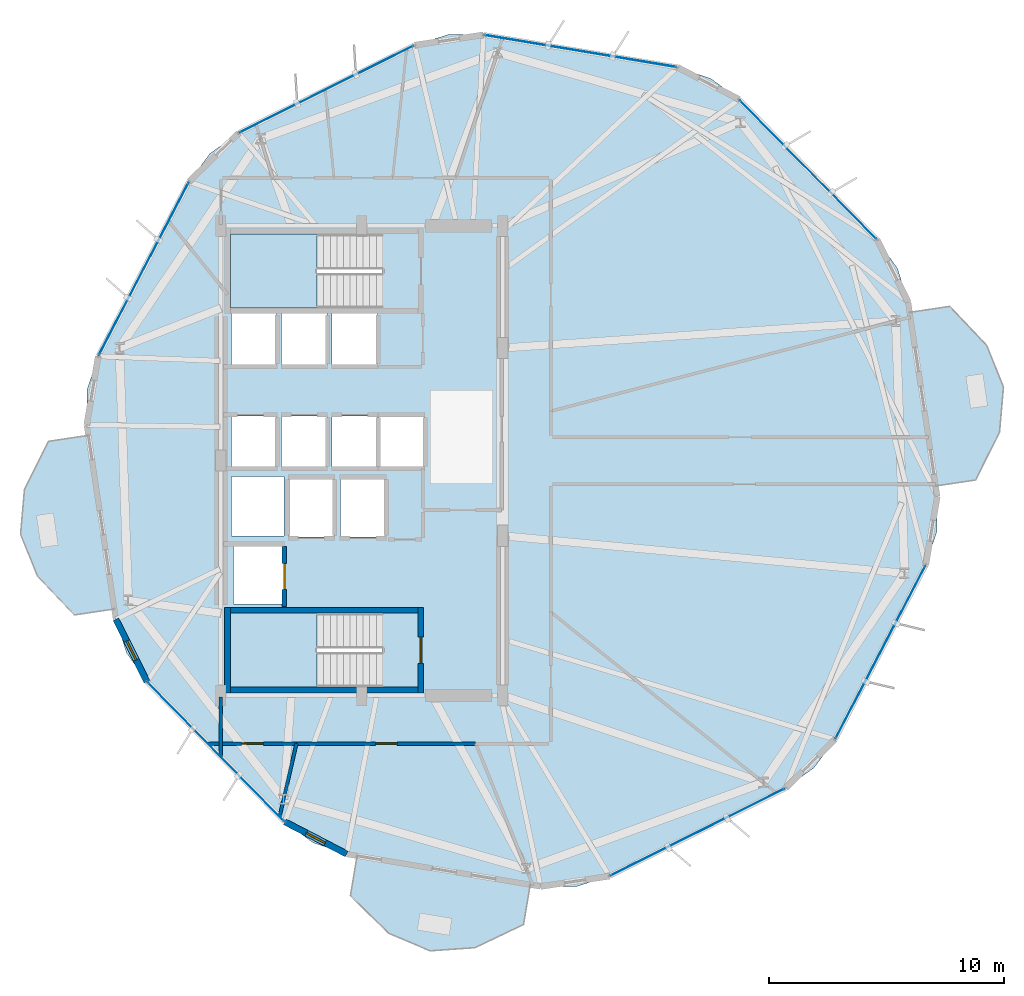
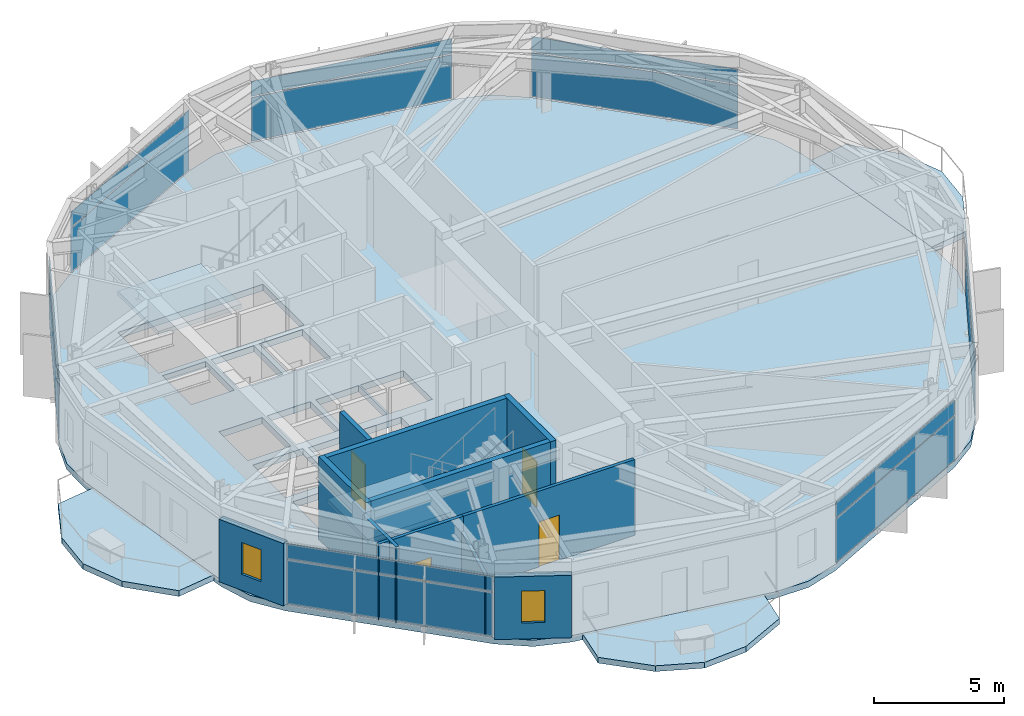
# One storey, part 16 of 22: 14 plates, 11 walls, 6 slabs, 4 doors, 2 windows, 6 openings, 9 elements without a shape of their own.
"""IFC4 building model written with IfcOpenShell, lengths in metres."""

from ifc_helpers import new_model, si_unit, direction, frame, frame_2d, origin, origin_2d, place, context, subcontext, project, spatial, polyline, rectangle, outline, extrude, material, layer, layer_set, type_object, element, fill, aggregate, save


model = new_model("IFC4")

# Units and contexts
model_context = context("Model", 3, precision=1e-05, world=origin(), true_north=direction((0.0, 1.0)))
body_context = subcontext(model_context, "Body", "Model", "MODEL_VIEW")
ifc_project = project(units=[si_unit("LENGTHUNIT", "METRE"), si_unit("AREAUNIT", "SQUARE_METRE"), si_unit("VOLUMEUNIT", "CUBIC_METRE"), si_unit("PLANEANGLEUNIT", "RADIAN"), si_unit("MASSUNIT", "GRAM", prefix="KILO")], contexts=[model_context])

# Site, building, storey
site_placement = place(None, origin())
site = spatial("IfcSite", under=ifc_project, at=site_placement, CompositionType="ELEMENT")
building_placement = place(site_placement, origin())
building = spatial("IfcBuilding", under=site, at=building_placement, Name="Soratama Intermodal Tower", CompositionType="ELEMENT")
storey_placement = place(building_placement, frame((0.0, 0.0, 130.300048828125)))
storey = spatial("IfcBuildingStorey", under=building, at=storey_placement, Name="L31", CompositionType="ELEMENT", Elevation=130.300048828125)

# Curtain wall, plates
ifc_material_1 = material(Name="Double-glazed aluminium curtain wall", Category="aluminium")
ifc_layer_1 = layer(ifc_material_1, 0.159912109375)
ifc_layer_set_1 = layer_set([ifc_layer_1], Name="Double-glazed aluminium curtain wall")
curtain_wall_type = type_object("IfcCurtainWallType", Name="CW-SYS-3", PredefinedType="NOTDEFINED", material=ifc_layer_set_1)
curtain_wall_1_placement = place(storey_placement, origin())
curtain_wall_1 = element("IfcCurtainWall", 1, at=curtain_wall_1_placement, inside=storey, type_object=curtain_wall_type, Name="L31 Faceted Curtain Wall F01", PredefinedType="NOTDEFINED")
ifc_material_2 = material(Name="Low-E laminated double glazing", Category="glass")
ifc_layer_2 = layer(ifc_material_2, 0.028076171875)
ifc_layer_set_2 = layer_set([ifc_layer_2], Name="Low-E laminated double glazing")
plate_type = type_object("IfcPlateType", Name="PT-CWP-3", PredefinedType="CURTAIN_PANEL", material=ifc_layer_set_2)
plate_1_placement = place(storey_placement, frame((57.61279296875, 37.4033203125, 0.059814453125), z_axis=(0.0, 0.0, 1.0), x_axis=(-0.701154417594, 0.713009454838, 0.0)))
plate_1 = element("IfcPlate", 2, at=plate_1_placement, type_object=plate_type, Name="CW-3 panel 1.1", PredefinedType="CURTAIN_PANEL", context=body_context, shape_type="SweptSolid", body=[
    extrude(rectangle(XDim=8.256103515625, YDim=0.028076171875, at=origin_2d()), origin(), (0.0, 0.0, 1.0), 2.06005859375),
])
plate_2_placement = place(storey_placement, frame((57.61279296875, 37.4033203125, 2.18017578125), z_axis=(0.0, 0.0, 1.0), x_axis=(-0.701154417594, 0.713009454838, 0.0)))
plate_2 = element("IfcPlate", 3, at=plate_2_placement, type_object=plate_type, Name="CW-3 panel 1.2", PredefinedType="CURTAIN_PANEL", context=body_context, shape_type="SweptSolid", body=[
    extrude(rectangle(XDim=8.256103515625, YDim=0.028076171875, at=origin_2d()), origin(), (0.0, 0.0, 1.0), 0.698974609375),
])
aggregate(curtain_wall_1, [plate_1, plate_2])

curtain_wall_2_placement = place(storey_placement, origin())
curtain_wall_2 = element("IfcCurtainWall", 4, at=curtain_wall_2_placement, inside=storey, type_object=curtain_wall_type, Name="L31 Faceted Curtain Wall F02", PredefinedType="NOTDEFINED")
plate_3_placement = place(storey_placement, frame((47.91357421875, 42.447998046875, 0.059814453125), z_axis=(0.0, 0.0, 1.0), x_axis=(-0.986342895373, 0.164704865587, 0.0)))
plate_3 = element("IfcPlate", 5, at=plate_3_placement, type_object=plate_type, Name="CW-3 panel 1.1", PredefinedType="CURTAIN_PANEL", context=body_context, shape_type="SweptSolid", body=[
    extrude(rectangle(XDim=8.256103515625, YDim=0.028076171875, at=origin_2d()), origin(), (0.0, 0.0, 1.0), 2.06005859375),
])
plate_4_placement = place(storey_placement, frame((47.91357421875, 42.447998046875, 2.18017578125), z_axis=(0.0, 0.0, 1.0), x_axis=(-0.986342895373, 0.164704865587, 0.0)))
plate_4 = element("IfcPlate", 6, at=plate_4_placement, type_object=plate_type, Name="CW-3 panel 1.2", PredefinedType="CURTAIN_PANEL", context=body_context, shape_type="SweptSolid", body=[
    extrude(rectangle(XDim=8.256103515625, YDim=0.028076171875, at=origin_2d()), origin(), (0.0, 0.0, 1.0), 0.698974609375),
])
aggregate(curtain_wall_2, [plate_3, plate_4])

curtain_wall_3_placement = place(storey_placement, origin())
curtain_wall_3 = element("IfcCurtainWall", 7, at=curtain_wall_3_placement, inside=storey, type_object=curtain_wall_type, Name="L31 Faceted Curtain Wall F03", PredefinedType="NOTDEFINED")
plate_5_placement = place(storey_placement, frame((37.101318359375, 40.828369140625, 0.059814453125), z_axis=(0.0, 0.0, 1.0), x_axis=(-0.894775526894, -0.446516244354, 0.0)))
plate_5 = element("IfcPlate", 8, at=plate_5_placement, type_object=plate_type, Name="CW-3 panel 1.1", PredefinedType="CURTAIN_PANEL", context=body_context, shape_type="SweptSolid", body=[
    extrude(rectangle(XDim=8.256103515625, YDim=0.028076171875, at=origin_2d()), origin(), (0.0, 0.0, 1.0), 2.06005859375),
])
plate_6_placement = place(storey_placement, frame((37.101318359375, 40.828369140625, 2.18017578125), z_axis=(0.0, 0.0, 1.0), x_axis=(-0.894775526894, -0.446516244354, 0.0)))
plate_6 = element("IfcPlate", 9, at=plate_6_placement, type_object=plate_type, Name="CW-3 panel 1.2", PredefinedType="CURTAIN_PANEL", context=body_context, shape_type="SweptSolid", body=[
    extrude(rectangle(XDim=8.256103515625, YDim=0.028076171875, at=origin_2d()), origin(), (0.0, 0.0, 1.0), 0.698974609375),
])
aggregate(curtain_wall_3, [plate_5, plate_6])

curtain_wall_4_placement = place(storey_placement, origin())
curtain_wall_4 = element("IfcCurtainWall", 10, at=curtain_wall_4_placement, inside=storey, type_object=curtain_wall_type, Name="L31 Faceted Curtain Wall F04", PredefinedType="NOTDEFINED")
plate_7_placement = place(storey_placement, frame((29.30615234375, 33.16259765625, 0.059814453125), z_axis=(0.0, 0.0, 1.0), x_axis=(-0.461435056194, -0.887173990215, 0.0)))
plate_7 = element("IfcPlate", 11, at=plate_7_placement, type_object=plate_type, Name="CW-3 panel 1.1", PredefinedType="CURTAIN_PANEL", context=body_context, shape_type="SweptSolid", body=[
    extrude(rectangle(XDim=8.25634765625, YDim=0.028076171875, at=origin_2d()), origin(), (0.0, 0.0, 1.0), 2.06005859375),
])
plate_8_placement = place(storey_placement, frame((29.30615234375, 33.16259765625, 2.18017578125), z_axis=(0.0, 0.0, 1.0), x_axis=(-0.461435056194, -0.887173990215, 0.0)))
plate_8 = element("IfcPlate", 12, at=plate_8_placement, type_object=plate_type, Name="CW-3 panel 1.2", PredefinedType="CURTAIN_PANEL", context=body_context, shape_type="SweptSolid", body=[
    extrude(rectangle(XDim=8.25634765625, YDim=0.028076171875, at=origin_2d()), origin(), (0.0, 0.0, 1.0), 0.698974609375),
])
aggregate(curtain_wall_4, [plate_7, plate_8])

curtain_wall_5_placement = place(storey_placement, origin())
curtain_wall_5 = element("IfcCurtainWall", 13, at=curtain_wall_5_placement, inside=storey, type_object=curtain_wall_type, Name="L31 Faceted Curtain Wall F06", PredefinedType="NOTDEFINED")
plate_9_placement = place(storey_placement, frame((32.38720703125, 12.5966796875, 0.059814453125), z_axis=(0.0, 0.0, 1.0), x_axis=(0.701154417594, -0.713009454838, 0.0)))
plate_9 = element("IfcPlate", 14, at=plate_9_placement, type_object=plate_type, Name="CW-3 panel 1.1", PredefinedType="CURTAIN_PANEL", context=body_context, shape_type="SweptSolid", body=[
    extrude(rectangle(XDim=8.256103515625, YDim=0.028076171875, at=origin_2d()), origin(), (0.0, 0.0, 1.0), 2.06005859375),
])
plate_10_placement = place(storey_placement, frame((32.38720703125, 12.5966796875, 2.18017578125), z_axis=(0.0, 0.0, 1.0), x_axis=(0.701154417594, -0.713009454838, 0.0)))
plate_10 = element("IfcPlate", 15, at=plate_10_placement, type_object=plate_type, Name="CW-3 panel 1.2", PredefinedType="CURTAIN_PANEL", context=body_context, shape_type="SweptSolid", body=[
    extrude(rectangle(XDim=8.256103515625, YDim=0.028076171875, at=origin_2d()), origin(), (0.0, 0.0, 1.0), 0.698974609375),
])
aggregate(curtain_wall_5, [plate_9, plate_10])

curtain_wall_6_placement = place(storey_placement, origin())
curtain_wall_6 = element("IfcCurtainWall", 16, at=curtain_wall_6_placement, inside=storey, type_object=curtain_wall_type, Name="L31 Faceted Curtain Wall F08", PredefinedType="NOTDEFINED")
plate_11_placement = place(storey_placement, frame((52.898681640625, 9.171630859375, 0.059814453125), z_axis=(0.0, 0.0, 1.0), x_axis=(0.894775526894, 0.446516244354, 0.0)))
plate_11 = element("IfcPlate", 17, at=plate_11_placement, type_object=plate_type, Name="CW-3 panel 1.1", PredefinedType="CURTAIN_PANEL", context=body_context, shape_type="SweptSolid", body=[
    extrude(rectangle(XDim=8.256103515625, YDim=0.028076171875, at=origin_2d()), origin(), (0.0, 0.0, 1.0), 2.06005859375),
])
plate_12_placement = place(storey_placement, frame((52.898681640625, 9.171630859375, 2.18017578125), z_axis=(0.0, 0.0, 1.0), x_axis=(0.894775526894, 0.446516244354, 0.0)))
plate_12 = element("IfcPlate", 18, at=plate_12_placement, type_object=plate_type, Name="CW-3 panel 1.2", PredefinedType="CURTAIN_PANEL", context=body_context, shape_type="SweptSolid", body=[
    extrude(rectangle(XDim=8.256103515625, YDim=0.028076171875, at=origin_2d()), origin(), (0.0, 0.0, 1.0), 0.698974609375),
])
aggregate(curtain_wall_6, [plate_11, plate_12])

curtain_wall_7_placement = place(storey_placement, origin())
curtain_wall_7 = element("IfcCurtainWall", 19, at=curtain_wall_7_placement, inside=storey, type_object=curtain_wall_type, Name="L31 Faceted Curtain Wall F09", PredefinedType="NOTDEFINED")
plate_13_placement = place(storey_placement, frame((60.69384765625, 16.83740234375, 0.059814453125), z_axis=(0.0, 0.0, 1.0), x_axis=(0.461435056194, 0.887173990215, 0.0)))
plate_13 = element("IfcPlate", 20, at=plate_13_placement, type_object=plate_type, Name="CW-3 panel 1.1", PredefinedType="CURTAIN_PANEL", context=body_context, shape_type="SweptSolid", body=[
    extrude(rectangle(XDim=8.25634765625, YDim=0.028076171875, at=origin_2d()), origin(), (0.0, 0.0, 1.0), 2.06005859375),
])
plate_14_placement = place(storey_placement, frame((60.69384765625, 16.83740234375, 2.18017578125), z_axis=(0.0, 0.0, 1.0), x_axis=(0.461435056194, 0.887173990215, 0.0)))
plate_14 = element("IfcPlate", 21, at=plate_14_placement, type_object=plate_type, Name="CW-3 panel 1.2", PredefinedType="CURTAIN_PANEL", context=body_context, shape_type="SweptSolid", body=[
    extrude(rectangle(XDim=8.25634765625, YDim=0.028076171875, at=origin_2d()), origin(), (0.0, 0.0, 1.0), 0.698974609375),
])
aggregate(curtain_wall_7, [plate_13, plate_14])

# Slabs
ifc_material_3 = material(Name="Concrete f'c 42 MPa", Category="concrete")
ifc_layer_3 = layer(ifc_material_3, 0.27001953125)
ifc_layer_set_3 = layer_set([ifc_layer_3], Name="Concrete f'c 42 MPa")
slab_type_1 = type_object("IfcSlabType", Name="SL-EXT-BAL1", PredefinedType="FLOOR", material=ifc_layer_set_3)
slab_1_placement = place(storey_placement, frame((0.0, 0.0, -0.27001953125)))
element("IfcSlab", 22, at=slab_1_placement, inside=storey, type_object=slab_type_1, Name="L31 Planted Balcony East 1", PredefinedType="FLOOR", context=body_context, shape_type="SweptSolid", body=[
    extrude(outline(polyline([(63.048095703125, 23.923828125), (61.940673828125, 31.317626953125), (63.6416015625, 31.572509765625), (65.215087890625, 29.918212890625), (65.93603515625, 28.136474609375), (65.768798828125, 26.221435546875), (64.749267578125, 24.1787109375), (63.048095703125, 23.923828125)])), origin(), (0.0, 0.0, 1.0), 0.27001953125),
])
slab_2_placement = place(storey_placement, frame((0.0, 0.0, -0.27001953125)))
element("IfcSlab", 23, at=slab_2_placement, inside=storey, type_object=slab_type_1, Name="L31 Planted Balcony West 2", PredefinedType="FLOOR", context=body_context, shape_type="SweptSolid", body=[
    extrude(outline(polyline([(26.951904296875, 26.076171875), (28.059326171875, 18.682373046875), (26.3583984375, 18.427490234375), (24.784912109375, 20.081787109375), (24.06396484375, 21.863525390625), (24.231201171875, 23.778564453125), (25.250732421875, 25.8212890625), (26.951904296875, 26.076171875)])), origin(), (0.0, 0.0, 1.0), 0.27001953125),
])
slab_3_placement = place(storey_placement, frame((0.0, 0.0, -0.27001953125)))
element("IfcSlab", 24, at=slab_3_placement, inside=storey, type_object=slab_type_1, Name="L31 Planted Balcony South 3", PredefinedType="FLOOR", context=body_context, shape_type="SweptSolid", body=[
    extrude(outline(polyline([(38.3994140625, 8.16748046875), (45.7734375, 6.936279296875), (45.490234375, 5.23974609375), (43.430908203125, 4.25439453125), (41.51318359375, 4.119384765625), (39.743896484375, 4.8701171875), (38.1162109375, 6.47119140625), (38.3994140625, 8.16748046875)])), origin(), (0.0, 0.0, 1.0), 0.27001953125),
])

# Stair, slab
ifc_material_4 = material(Name="Concrete f'c 42 MPa", Category="concrete")
stair_type = type_object("IfcStairType", Name="ST-CORE-DOGLEG", PredefinedType="HALF_TURN_STAIR", material=ifc_material_4)
stair_1_placement = place(storey_placement, origin())
stair_1 = element("IfcStair", 25, at=stair_1_placement, inside=storey, type_object=stair_type, Name="L31 ST-1", PredefinedType="HALF_TURN_STAIR")
ifc_material_5 = material(Name="Concrete f'c 42 MPa", Category="concrete")
ifc_layer_4 = layer(ifc_material_5, 0.219970703125)
ifc_layer_set_4 = layer_set([ifc_layer_4], Name="Concrete f'c 42 MPa")
slab_type_2 = type_object("IfcSlabType", Name="SL-STAIR-LAND", PredefinedType="LANDING", material=ifc_layer_set_4)
slab_4_placement = place(storey_placement, frame((0.0, 0.0, 1.75)))
slab_4 = element("IfcSlab", 26, at=slab_4_placement, type_object=slab_type_2, Name="ST-1 landing 1", PredefinedType="LANDING", context=body_context, shape_type="SweptSolid", body=[
    extrude(outline(polyline([(36.699951171875, 18.5), (33.0, 18.5), (33.0, 15.35009765625), (36.699951171875, 15.35009765625), (36.699951171875, 18.5)])), origin(), (0.0, 0.0, 1.0), 0.199951171875),
])
aggregate(stair_1, [slab_4])

stair_2_placement = place(storey_placement, origin())
stair_2 = element("IfcStair", 27, at=stair_2_placement, inside=storey, type_object=stair_type, Name="L31 ST-2", PredefinedType="HALF_TURN_STAIR")
slab_5_placement = place(storey_placement, frame((0.0, 0.0, 1.75)))
slab_5 = element("IfcSlab", 28, at=slab_5_placement, type_object=slab_type_2, Name="ST-2 landing 1", PredefinedType="LANDING", context=body_context, shape_type="SweptSolid", body=[
    extrude(outline(polyline([(36.699951171875, 34.64990234375), (33.0, 34.64990234375), (33.0, 31.5), (36.699951171875, 31.5), (36.699951171875, 34.64990234375)])), origin(), (0.0, 0.0, 1.0), 0.199951171875),
])
aggregate(stair_2, [slab_5])

# Slab
ifc_material_6 = material(Name="Concrete f'c 42 MPa", Category="concrete")
ifc_layer_5 = layer(ifc_material_6, 0.280029296875)
ifc_layer_set_5 = layer_set([ifc_layer_5], Name="Concrete f'c 42 MPa")
slab_type_3 = type_object("IfcSlabType", Name="SL-TWR-280", PredefinedType="FLOOR", material=ifc_layer_set_5)
slab_6_placement = place(storey_placement, frame((0.0, 0.0, -0.300048828125)))
element("IfcSlab", 29, at=slab_6_placement, inside=storey, type_object=slab_type_3, Name="L31 Structural Floor Slab", PredefinedType="FLOOR", context=body_context, shape_type="SweptSolid", body=[
    extrude(outline(polyline([(61.873779296875, 31.7626953125), (61.421875, 33.19482421875), (60.54931640625, 34.4169921875), (54.67626953125, 40.389404296875), (53.46875, 41.2822265625), (52.04443359375, 41.75830078125), (43.78271484375, 43.137939453125), (42.281005859375, 43.150390625), (40.848876953125, 42.698486328125), (33.35400390625, 38.958251953125), (32.131591796875, 38.085693359375), (31.23876953125, 36.87841796875), (27.373779296875, 29.447021484375), (26.897705078125, 28.022705078125), (26.885009765625, 26.52099609375), (28.126220703125, 18.2373046875), (28.578125, 16.80517578125), (29.45068359375, 15.5830078125), (35.32373046875, 9.610595703125), (36.53125, 8.7177734375), (37.95556640625, 8.24169921875), (46.21728515625, 6.862060546875), (47.718994140625, 6.849609375), (49.151123046875, 7.301513671875), (56.64599609375, 11.041748046875), (57.868408203125, 11.914306640625), (58.76123046875, 13.12158203125), (62.626220703125, 20.552978515625), (63.102294921875, 21.977294921875), (63.114990234375, 23.47900390625), (61.873779296875, 31.7626953125)]), holes=[polyline([(33.0, 18.5), (33.0, 15.35009765625), (39.47509765625, 15.35009765625), (39.47509765625, 18.5), (33.0, 18.5)]), polyline([(35.260009765625, 18.889892578125), (35.260009765625, 21.409912109375), (33.139892578125, 21.409912109375), (33.139892578125, 18.889892578125), (35.260009765625, 18.889892578125)]), polyline([(33.050048828125, 21.800048828125), (35.280029296875, 21.800048828125), (35.280029296875, 24.320068359375), (33.050048828125, 24.320068359375), (33.050048828125, 21.800048828125)]), polyline([(34.9599609375, 26.909912109375), (33.0400390625, 26.909912109375), (33.0400390625, 24.68994140625), (34.9599609375, 24.68994140625), (34.9599609375, 26.909912109375)]), polyline([(37.110107421875, 24.68994140625), (37.110107421875, 26.909912109375), (35.18994140625, 26.909912109375), (35.18994140625, 24.68994140625), (37.110107421875, 24.68994140625)]), polyline([(34.9599609375, 29.0400390625), (34.9599609375, 31.260009765625), (33.0400390625, 31.260009765625), (33.0400390625, 29.0400390625), (34.9599609375, 29.0400390625)]), polyline([(37.110107421875, 31.260009765625), (35.18994140625, 31.260009765625), (35.18994140625, 29.0400390625), (37.110107421875, 29.0400390625), (37.110107421875, 31.260009765625)]), polyline([(37.409912109375, 21.739990234375), (37.409912109375, 24.260009765625), (35.489990234375, 24.260009765625), (35.489990234375, 21.739990234375), (37.409912109375, 21.739990234375)]), polyline([(39.610107421875, 21.739990234375), (39.610107421875, 24.260009765625), (37.68994140625, 24.260009765625), (37.68994140625, 21.739990234375), (39.610107421875, 21.739990234375)]), polyline([(39.260009765625, 24.68994140625), (39.260009765625, 26.909912109375), (37.340087890625, 26.909912109375), (37.340087890625, 24.68994140625), (39.260009765625, 24.68994140625)]), polyline([(41.260009765625, 24.68994140625), (41.260009765625, 26.909912109375), (39.340087890625, 26.909912109375), (39.340087890625, 24.68994140625), (41.260009765625, 24.68994140625)]), polyline([(39.260009765625, 29.0400390625), (39.260009765625, 31.260009765625), (37.340087890625, 31.260009765625), (37.340087890625, 29.0400390625), (39.260009765625, 29.0400390625)]), polyline([(39.47509765625, 34.64990234375), (33.0, 34.64990234375), (33.0, 31.5), (39.47509765625, 31.5), (39.47509765625, 34.64990234375)])]), origin(), (0.0, 0.0, 1.0), 0.300048828125),
])

# Wall, opening, window
ifc_material_7 = material(Name="Concrete f'c 42 MPa", Category="concrete")
ifc_layer_6 = layer(ifc_material_7, 0.27001953125)
ifc_layer_set_6 = layer_set([ifc_layer_6], Name="Concrete f'c 42 MPa")
wall_type_1 = type_object("IfcWallType", Name="EW-CRN-270", PredefinedType="SOLIDWALL", material=ifc_layer_set_6)
wall_1_placement = place(storey_placement, frame((28.126220703125, 18.2373046875, 0.0), z_axis=(0.0, 0.0, 1.0), x_axis=(0.446489189921, -0.894789027248, 0.0)))
wall_1 = element("IfcWall", 30, at=wall_1_placement, inside=storey, type_object=wall_type_1, Name="L31 Corner Closure Wall 05", PredefinedType="SOLIDWALL", context=body_context, shape_type="SweptSolid", body=[
    extrude(rectangle(XDim=2.96630859375, YDim=0.27001953125, at=frame_2d((1.483154296875, 0.0))), origin(), (0.0, 0.0, 1.0), 2.93896484375),
])
opening_1_placement = place(wall_1_placement, frame((1.033203125, 0.0, 0.75)))
opening_1 = element("IfcOpeningElement", 31, at=opening_1_placement, cuts=wall_1, Name="Opening WN-6", PredefinedType="OPENING", context=body_context, shape_type="SweptSolid", body=[
    extrude(rectangle(XDim=0.89990234375, YDim=1.5, at=frame_2d((0.449951171875, 0.75))), frame((0.0, 0.14501953125, 0.0), z_axis=(0.0, -1.0, 0.0), x_axis=(1.0, 0.0, 0.0)), (0.0, 0.0, 1.0), 0.2900390625),
])
ifc_material_8 = material(Name="Double-glazed aluminium window", Category="aluminium")
window_type = type_object("IfcWindowType", Name="WN-FAC-900", PartitioningType="SINGLE_PANEL", PredefinedType="WINDOW", material=ifc_material_8)
window_1_placement = place(opening_1_placement, origin())
window_1 = element("IfcWindow", 32, at=window_1_placement, inside=storey, type_object=window_type, Name="L31 Corner Window 05", OverallHeight=1.5, OverallWidth=0.89990234375, PartitioningType="SINGLE_PANEL", PredefinedType="WINDOW", context=body_context, shape_type="SweptSolid", body=[
    extrude(rectangle(XDim=0.89990234375, YDim=1.5, at=frame_2d((0.449951171875, 0.75))), frame((0.0, 0.030029296875, 0.0), z_axis=(0.0, -1.0, 0.0), x_axis=(1.0, 0.0, 0.0)), (0.0, 0.0, 1.0), 0.06005859375),
])
fill(opening_1, window_1)

wall_2_placement = place(storey_placement, frame((35.32373046875, 9.610595703125, 0.0), z_axis=(0.0, 0.0, 1.0), x_axis=(0.887169636056, -0.461443427585, 0.0)))
wall_2 = element("IfcWall", 33, at=wall_2_placement, inside=storey, type_object=wall_type_1, Name="L31 Corner Closure Wall 06", PredefinedType="SOLIDWALL", context=body_context, shape_type="SweptSolid", body=[
    extrude(rectangle(XDim=2.966552734375, YDim=0.27001953125, at=frame_2d((1.4833984375, 0.0))), origin(), (0.0, 0.0, 1.0), 2.93896484375),
])
opening_2_placement = place(wall_2_placement, frame((1.033203125, 0.0, 0.75)))
opening_2 = element("IfcOpeningElement", 34, at=opening_2_placement, cuts=wall_2, Name="Opening WN-6", PredefinedType="OPENING", context=body_context, shape_type="SweptSolid", body=[
    extrude(rectangle(XDim=0.89990234375, YDim=1.5, at=frame_2d((0.449951171875, 0.75))), frame((0.0, 0.14501953125, 0.0), z_axis=(0.0, -1.0, 0.0), x_axis=(1.0, 0.0, 0.0)), (0.0, 0.0, 1.0), 0.2900390625),
])
window_2_placement = place(opening_2_placement, origin())
window_2 = element("IfcWindow", 35, at=window_2_placement, inside=storey, type_object=window_type, Name="L31 Corner Window 06", OverallHeight=1.5, OverallWidth=0.89990234375, PartitioningType="SINGLE_PANEL", PredefinedType="WINDOW", context=body_context, shape_type="SweptSolid", body=[
    extrude(rectangle(XDim=0.89990234375, YDim=1.5, at=frame_2d((0.449951171875, 0.75))), frame((0.0, 0.030029296875, 0.0), z_axis=(0.0, -1.0, 0.0), x_axis=(1.0, 0.0, 0.0)), (0.0, 0.0, 1.0), 0.06005859375),
])
fill(opening_2, window_2)

# Wall, opening, door
ifc_material_9 = material(Name="Fire-rated gypsum stud partition", Category="concrete")
ifc_layer_7 = layer(ifc_material_9, 0.14990234375)
ifc_layer_set_7 = layer_set([ifc_layer_7], Name="Fire-rated gypsum stud partition")
wall_type_2 = type_object("IfcWallType", Name="IW-PART-R150", PredefinedType="PARTITIONING", material=ifc_layer_set_7)
wall_3_placement = place(storey_placement, frame((43.455078125, 12.949951171875, 0.0), z_axis=(0.0, 0.0, 1.0), x_axis=(-1.0, 0.0, 0.0)))
wall_3 = element("IfcWall", 36, at=wall_3_placement, inside=storey, type_object=wall_type_2, Name="L31 Partition W-L31-TP006", PredefinedType="PARTITIONING", context=body_context, shape_type="SweptSolid", body=[
    extrude(rectangle(XDim=7.636962890625, YDim=0.14990234375, at=frame_2d((3.818359375, 0.0))), origin(), (0.0, 0.0, 1.0), 3.56005859375),
])
opening_3_placement = place(wall_3_placement, frame((3.343994140625, 0.0, 0.0)))
opening_3 = element("IfcOpeningElement", 37, at=opening_3_placement, cuts=wall_3, Name="Opening ID-6", PredefinedType="OPENING", context=body_context, shape_type="SweptSolid", body=[
    extrude(rectangle(XDim=0.919921875, YDim=2.1201171875, at=frame_2d((0.4599609375, 1.06005859375))), frame((0.0, 0.0849609375, 0.0), z_axis=(0.0, -1.0, 0.0), x_axis=(1.0, 0.0, 0.0)), (0.0, 0.0, 1.0), 0.169921875),
])
ifc_material_10 = material(Name="Solid hardwood acoustic door", Category="wood")
door_type_1 = type_object("IfcDoorType", Name="DR-ROOM-920", OperationType="NOTDEFINED", PredefinedType="DOOR", material=ifc_material_10)
door_1_placement = place(opening_3_placement, origin())
door_1 = element("IfcDoor", 38, at=door_1_placement, inside=storey, type_object=door_type_1, Name="L31 Door D-L31-TP004", OperationType="SINGLE_SWING_LEFT", OverallHeight=2.1201171875, OverallWidth=0.919921875, PredefinedType="DOOR", context=body_context, shape_type="SweptSolid", body=[
    extrude(rectangle(XDim=0.919921875, YDim=2.1201171875, at=frame_2d((0.4599609375, 1.06005859375))), frame((0.0, 0.02490234375, 0.0), z_axis=(0.0, -1.0, 0.0), x_axis=(1.0, 0.0, 0.0)), (0.0, 0.0, 1.0), 0.050048828125),
])
fill(opening_3, door_1)

wall_4_placement = place(storey_placement, frame((35.818115234375, 12.949951171875, 0.0), z_axis=(0.0, 0.0, 1.0), x_axis=(-1.0, 0.0, 0.0)))
wall_4 = element("IfcWall", 39, at=wall_4_placement, inside=storey, type_object=wall_type_2, Name="L31 Partition W-L31-TP015", PredefinedType="PARTITIONING", context=body_context, shape_type="SweptSolid", body=[
    extrude(rectangle(XDim=3.778076171875, YDim=0.14990234375, at=frame_2d((1.88916015625, 0.0))), origin(), (0.0, 0.0, 1.0), 3.56005859375),
])
opening_4_placement = place(wall_4_placement, frame((1.4140625, 0.0, 0.0)))
opening_4 = element("IfcOpeningElement", 40, at=opening_4_placement, cuts=wall_4, Name="Opening ID-6", PredefinedType="OPENING", context=body_context, shape_type="SweptSolid", body=[
    extrude(rectangle(XDim=0.919921875, YDim=2.1201171875, at=frame_2d((0.4599609375, 1.06005859375))), frame((0.0, 0.0849609375, 0.0), z_axis=(0.0, -1.0, 0.0), x_axis=(1.0, 0.0, 0.0)), (0.0, 0.0, 1.0), 0.169921875),
])
door_2_placement = place(opening_4_placement, origin())
door_2 = element("IfcDoor", 41, at=door_2_placement, inside=storey, type_object=door_type_1, Name="L31 Door D-L31-TP007", OperationType="SINGLE_SWING_RIGHT", OverallHeight=2.1201171875, OverallWidth=0.919921875, PredefinedType="DOOR", context=body_context, shape_type="SweptSolid", body=[
    extrude(rectangle(XDim=0.919921875, YDim=2.1201171875, at=frame_2d((0.4599609375, 1.06005859375))), frame((0.0, 0.02490234375, 0.0), z_axis=(0.0, -1.0, 0.0), x_axis=(1.0, 0.0, 0.0)), (0.0, 0.0, 1.0), 0.050048828125),
])
fill(opening_4, door_2)

# Walls
wall_5_placement = place(storey_placement, frame((32.60009765625, 12.3798828125, 0.0), z_axis=(0.0, 0.0, 1.0), x_axis=(0.0, 1.0, 0.0)))
element("IfcWall", 42, at=wall_5_placement, inside=storey, type_object=wall_type_2, Name="L31 Partition W-L31-TP022", PredefinedType="PARTITIONING", context=body_context, shape_type="SweptSolid", body=[
    extrude(rectangle(XDim=2.550048828125, YDim=0.14990234375, at=frame_2d((1.27490234375, 0.0))), origin(), (0.0, 0.0, 1.0), 3.56005859375),
])
ifc_material_11 = material(Name="Fire-rated gypsum stud partition", Category="concrete")
ifc_layer_8 = layer(ifc_material_11, 0.139892578125)
ifc_layer_set_8 = layer_set([ifc_layer_8], Name="Fire-rated gypsum stud partition")
wall_type_3 = type_object("IfcWallType", Name="IW-PART-S140", PredefinedType="PARTITIONING", material=ifc_layer_set_8)
wall_6_placement = place(storey_placement, frame((35.818115234375, 12.949951171875, 0.0), z_axis=(0.0, 0.0, 1.0), x_axis=(-0.224814843935, -0.974401501408, 0.0)))
element("IfcWall", 43, at=wall_6_placement, inside=storey, type_object=wall_type_3, Name="L31 Partition W-L31-TP018", PredefinedType="PARTITIONING", context=body_context, shape_type="SweptSolid", body=[
    extrude(rectangle(XDim=3.19384765625, YDim=0.139892578125, at=frame_2d((1.596923828125, 0.0))), origin(), (0.0, 0.0, 1.0), 2.85498046875),
])

# Wall, opening, door
ifc_material_12 = material(Name="Concrete f'c 42 MPa", Category="concrete")
ifc_layer_9 = layer(ifc_material_12, 0.199951171875)
ifc_layer_set_9 = layer_set([ifc_layer_9], Name="Concrete f'c 42 MPa")
wall_type_4 = type_object("IfcWallType", Name="IW-SHAFT-200", PredefinedType="SOLIDWALL", material=ifc_layer_set_9)
wall_7_placement = place(storey_placement, frame((35.300048828125, 18.7900390625, 0.0), z_axis=(0.0, 0.0, 1.0), x_axis=(0.0, 1.0, 0.0)))
wall_7 = element("IfcWall", 44, at=wall_7_placement, inside=storey, type_object=wall_type_4, Name="L31 SVL-1 Hoistway Wall E", PredefinedType="SOLIDWALL", context=body_context, shape_type="SweptSolid", body=[
    extrude(rectangle(XDim=2.550048828125, YDim=0.199951171875, at=frame_2d((1.27490234375, 0.0))), origin(), (0.0, 0.0, 1.0), 3.56005859375),
])
opening_5_placement = place(wall_7_placement, frame((0.72509765625, 0.0, 0.0)))
opening_5 = element("IfcOpeningElement", 45, at=opening_5_placement, cuts=wall_7, Name="Opening LD-1", PredefinedType="OPENING", context=body_context, shape_type="SweptSolid", body=[
    extrude(rectangle(XDim=1.10009765625, YDim=2.14990234375, at=frame_2d((0.550048828125, 1.074951171875))), frame((0.0, 0.10986328125, 0.0), z_axis=(0.0, -1.0, 0.0), x_axis=(1.0, 0.0, 0.0)), (0.0, 0.0, 1.0), 0.219970703125),
])
ifc_material_13 = material(Name="Steel fire door", Category="steel")
door_type_2 = type_object("IfcDoorType", Name="DR-LIFT-SLIDE", OperationType="NOTDEFINED", PredefinedType="DOOR", material=ifc_material_13)
door_3_placement = place(opening_5_placement, origin())
door_3 = element("IfcDoor", 46, at=door_3_placement, inside=storey, type_object=door_type_2, Name="L31 SVL-1 Sliding Landing Door", OperationType="SLIDING_TO_LEFT", OverallHeight=2.14990234375, OverallWidth=1.10009765625, PredefinedType="DOOR", context=body_context, shape_type="SweptSolid", body=[
    extrude(rectangle(XDim=1.10009765625, YDim=2.14990234375, at=frame_2d((0.550048828125, 1.074951171875))), frame((0.0, 0.02490234375, 0.0), z_axis=(0.0, -1.0, 0.0), x_axis=(1.0, 0.0, 0.0)), (0.0, 0.0, 1.0), 0.050048828125),
])
fill(opening_5, door_3)

# Wall
ifc_material_14 = material(Name="Concrete f'c 56 MPa", Category="concrete")
ifc_layer_10 = layer(ifc_material_14, 0.239990234375)
ifc_layer_set_10 = layer_set([ifc_layer_10], Name="Concrete f'c 56 MPa")
wall_type_5 = type_object("IfcWallType", Name="SW-STAIR-240", PredefinedType="SHEAR", material=ifc_layer_set_10)
wall_8_placement = place(storey_placement, frame((32.8798828125, 15.110107421875, 0.0), z_axis=(0.0, 0.0, 1.0), x_axis=(0.0, 1.0, 0.0)))
element("IfcWall", 47, at=wall_8_placement, inside=storey, type_object=wall_type_5, Name="L31 ST-1 Shaft Shear Wall W", PredefinedType="SHEAR", context=body_context, shape_type="SweptSolid", body=[
    extrude(rectangle(XDim=3.6298828125, YDim=0.239990234375, at=frame_2d((1.81494140625, 0.0))), origin(), (0.0, 0.0, 1.0), 3.89990234375),
])

# Wall, opening, door
wall_9_placement = place(storey_placement, frame((41.1201171875, 15.110107421875, 0.0), z_axis=(0.0, 0.0, 1.0), x_axis=(0.0, 1.0, 0.0)))
wall_9 = element("IfcWall", 48, at=wall_9_placement, inside=storey, type_object=wall_type_5, Name="L31 ST-1 Shaft Shear Wall E", PredefinedType="SHEAR", context=body_context, shape_type="SweptSolid", body=[
    extrude(rectangle(XDim=3.6298828125, YDim=0.239990234375, at=frame_2d((1.81494140625, 0.0))), origin(), (0.0, 0.0, 1.0), 3.89990234375),
])
opening_6_placement = place(wall_9_placement, frame((1.2548828125, 0.0, 0.0)))
opening_6 = element("IfcOpeningElement", 49, at=opening_6_placement, cuts=wall_9, Name="Opening SD-1", PredefinedType="OPENING", context=body_context, shape_type="SweptSolid", body=[
    extrude(rectangle(XDim=1.1201171875, YDim=2.14990234375, at=frame_2d((0.56005859375, 1.074951171875))), frame((0.0, 0.1298828125, 0.0), z_axis=(0.0, -1.0, 0.0), x_axis=(1.0, 0.0, 0.0)), (0.0, 0.0, 1.0), 0.260009765625),
])
ifc_material_15 = material(Name="Steel fire door", Category="steel")
door_type_3 = type_object("IfcDoorType", Name="DR-STAIR-FD90", OperationType="NOTDEFINED", PredefinedType="DOOR", material=ifc_material_15)
door_4_placement = place(opening_6_placement, origin())
door_4 = element("IfcDoor", 50, at=door_4_placement, inside=storey, type_object=door_type_3, Name="L31 ST-1 Exit Stair Door", OperationType="SINGLE_SWING_LEFT", OverallHeight=2.14990234375, OverallWidth=1.1201171875, PredefinedType="DOOR", context=body_context, shape_type="SweptSolid", body=[
    extrude(rectangle(XDim=1.1201171875, YDim=2.14990234375, at=frame_2d((0.56005859375, 1.074951171875))), frame((0.0, 0.02490234375, 0.0), z_axis=(0.0, -1.0, 0.0), x_axis=(1.0, 0.0, 0.0)), (0.0, 0.0, 1.0), 0.050048828125),
])
fill(opening_6, door_4)

# Walls
for number, where, z_axis, x_axis, name in (
    (51, (33.0, 15.22998046875, 0.0), (0.0, 0.0, 1.0), (1.0, 0.0, 0.0), "L31 ST-1 Shaft Shear Wall S"),
    (52, (33.0, 18.6201171875, 0.0), (0.0, 0.0, 1.0), (1.0, 0.0, 0.0), "L31 ST-1 Shaft Shear Wall N"),
):
    element("IfcWall", number, at=place(storey_placement, frame(where, z_axis=z_axis, x_axis=x_axis)), inside=storey, type_object=wall_type_5, Name=name, PredefinedType="SHEAR", context=body_context, shape_type="SweptSolid", body=[
        extrude(rectangle(XDim=8.0, YDim=0.239990234375, at=frame_2d((4.0, 0.0))), origin(), (0.0, 0.0, 1.0), 3.89990234375),
    ])

save(model, "model.ifc")
